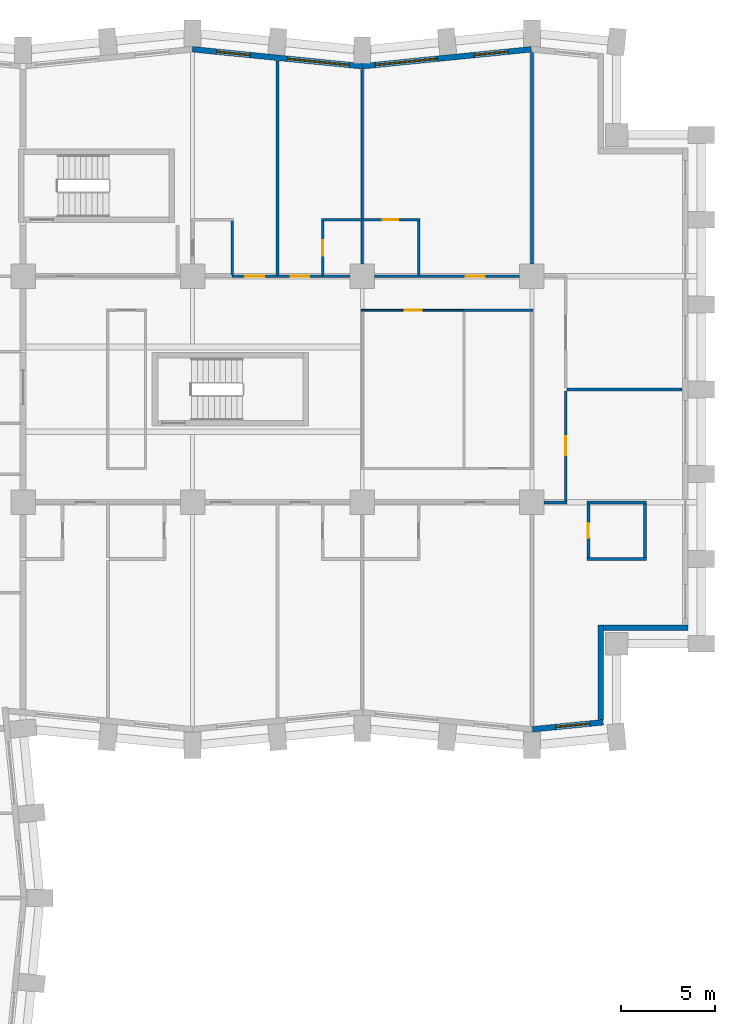
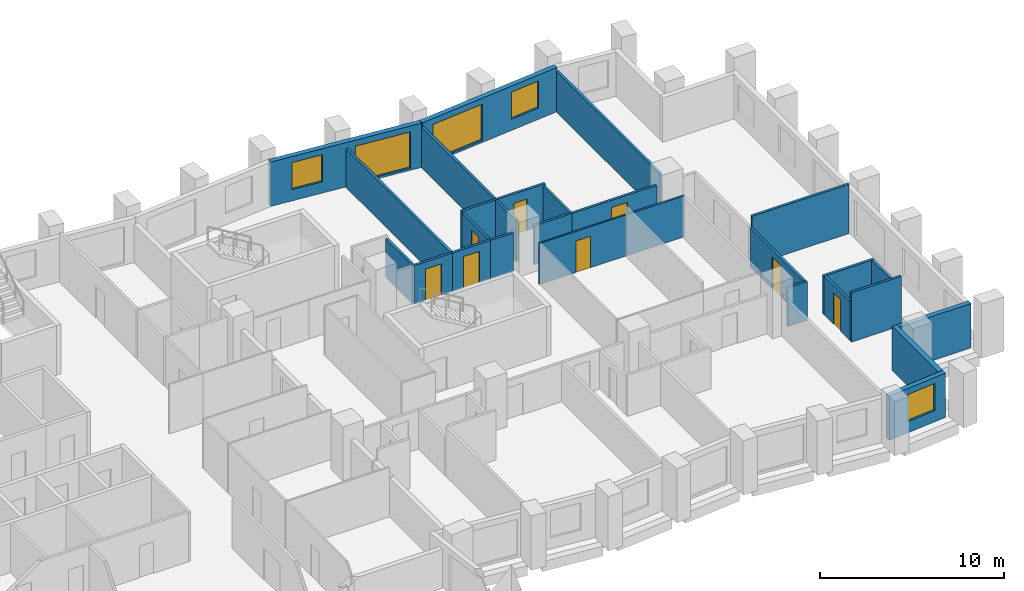
# One storey, part 9 of 12: 28 walls, 8 doors, 5 windows, 13 openings.
"""IFC4 building model written with IfcOpenShell, lengths in metres."""

from ifc_helpers import new_model, si_unit, direction, frame, frame_2d, origin, place, context, subcontext, project, spatial, rectangle, extrude, material, layer, layer_set, type_object, element, fill, save


model = new_model("IFC4")

# Units and contexts
model_context = context("Model", 3, precision=1e-05, world=origin(), true_north=direction((0.0, 1.0)))
body_context = subcontext(model_context, "Body", "Model", "MODEL_VIEW")
ifc_project = project(units=[si_unit("LENGTHUNIT", "METRE"), si_unit("AREAUNIT", "SQUARE_METRE"), si_unit("VOLUMEUNIT", "CUBIC_METRE"), si_unit("PLANEANGLEUNIT", "RADIAN"), si_unit("MASSUNIT", "GRAM", prefix="KILO")], contexts=[model_context])

# Site, building, storey
site_placement = place(None, origin())
site = spatial("IfcSite", under=ifc_project, at=site_placement, CompositionType="ELEMENT")
building_placement = place(site_placement, origin())
building = spatial("IfcBuilding", under=site, at=building_placement, Name="Brondeck Convention Tower", CompositionType="ELEMENT")
storey_placement = place(building_placement, frame((0.0, 0.0, 55.5)))
storey = spatial("IfcBuildingStorey", under=building, at=storey_placement, Name="L11", CompositionType="ELEMENT", Elevation=55.5)

# Wall, opening, window
ifc_material_1 = material(Name="Precast concrete C50/60 bronze finish", Category="concrete")
ifc_layer_1 = layer(ifc_material_1, 0.070068359375, Name="Bronze precast facing")
ifc_material_2 = material(Name="Mineral wool")
ifc_layer_2 = layer(ifc_material_2, 0.159912109375, Name="Insulation")
ifc_material_3 = material(Name="Concrete C35/45", Category="concrete")
ifc_layer_3 = layer(ifc_material_3, 0.070068359375, Name="Backing")
ifc_layer_set_1 = layer_set([ifc_layer_1, ifc_layer_2, ifc_layer_3], Name="External infill wall, precast concrete C50/60 bronze facing")
wall_type_1 = type_object("IfcWallType", Name="External infill wall, precast concrete C50/60 bronze facing", PredefinedType="SOLIDWALL", material=ifc_layer_set_1)
wall_1_placement = place(storey_placement, frame((66.78515625, 27.332763671875, 0.0), z_axis=(0.0, 0.0, 1.0), x_axis=(-0.995038471088, -0.099490909409, 0.0)))
wall_1 = element("IfcWall", 1, at=wall_1_placement, inside=storey, type_object=wall_type_1, Name="ENV-EW-L11-P0-A-S-06", PredefinedType="SOLIDWALL", context=body_context, shape_type="SweptSolid", body=[
    extrude(rectangle(XDim=3.774169921875, YDim=0.300048828125, at=frame_2d((1.88720703125, 0.0))), origin(), (0.0, 0.0, 1.0), 2.949951171875),
])
opening_1_placement = place(wall_1_placement, frame((0.727783203125, 0.0, 0.75)))
opening_1 = element("IfcOpeningElement", 2, at=opening_1_placement, cuts=wall_1, Name="Opening W10", PredefinedType="OPENING", context=body_context, shape_type="SweptSolid", body=[
    extrude(rectangle(XDim=1.800048828125, YDim=1.800048828125, at=frame_2d((0.89990234375, 0.89990234375))), frame((0.0, 0.159912109375, 0.0), z_axis=(0.0, -1.0, 0.0), x_axis=(1.0, 0.0, 0.0)), (0.0, 0.0, 1.0), 0.320068359375),
])
ifc_material_4 = material(Name="Bronze tinted double glazing", Category="glass")
window_type_1 = type_object("IfcWindowType", Name="Punched window, bronze tinted", PartitioningType="SINGLE_PANEL", PredefinedType="WINDOW", material=ifc_material_4)
window_1_placement = place(opening_1_placement, origin())
window_1 = element("IfcWindow", 3, at=window_1_placement, inside=storey, type_object=window_type_1, Name="ENV-WN-L11-P0-A-S-06", OverallHeight=1.800048828125, OverallWidth=1.800048828125, PartitioningType="SINGLE_PANEL", PredefinedType="WINDOW", context=body_context, shape_type="SweptSolid", body=[
    extrude(rectangle(XDim=1.800048828125, YDim=1.800048828125, at=frame_2d((0.89990234375, 0.89990234375))), frame((0.0, 0.030029296875, 0.0), z_axis=(0.0, -1.0, 0.0), x_axis=(1.0, 0.0, 0.0)), (0.0, 0.0, 1.0), 0.06005859375),
])
fill(opening_1, window_1)

# Walls
wall_2_placement = place(storey_placement, frame((66.64990234375, 32.5, 0.0), z_axis=(0.0, 0.0, 1.0), x_axis=(0.0, -1.0, 0.0)))
element("IfcWall", 4, at=wall_2_placement, inside=storey, type_object=wall_type_1, Name="ENV-EW-L11-P0-NC-SEA72-01", PredefinedType="SOLIDWALL", context=body_context, shape_type="SweptSolid", body=[
    extrude(rectangle(XDim=5.02880859375, YDim=0.300048828125, at=frame_2d((2.514404296875, 0.0))), origin(), (0.0, 0.0, 1.0), 2.949951171875),
])
wall_3_placement = place(storey_placement, frame((71.300048828125, 32.35009765625, 0.0), z_axis=(0.0, 0.0, 1.0), x_axis=(-1.0, 0.0, 0.0)))
element("IfcWall", 5, at=wall_3_placement, inside=storey, type_object=wall_type_1, Name="ENV-EW-L11-P0-NC-SEA72-02", PredefinedType="SOLIDWALL", context=body_context, shape_type="SweptSolid", body=[
    extrude(rectangle(XDim=4.5, YDim=0.300048828125, at=frame_2d((2.25, 0.0))), origin(), (0.0, 0.0, 1.0), 2.949951171875),
])

# Wall, openings, windows
wall_4_placement = place(storey_placement, frame((53.985107421875, 62.144287109375, 0.0), z_axis=(0.0, 0.0, 1.0), x_axis=(0.995037993253, 0.099495688264, 0.0)))
wall_4 = element("IfcWall", 6, at=wall_4_placement, inside=storey, type_object=wall_type_1, Name="ENV-EW-L11-P0-A-N-13", PredefinedType="SOLIDWALL", context=body_context, shape_type="SweptSolid", body=[
    extrude(rectangle(XDim=9.030029296875, YDim=0.300048828125, at=frame_2d((4.51513671875, 0.0))), origin(), (0.0, 0.0, 1.0), 2.949951171875),
])
opening_2_placement = place(wall_4_placement, frame((0.711181640625, 0.0, 0.14990234375)))
opening_2 = element("IfcOpeningElement", 7, at=opening_2_placement, cuts=wall_4, Name="Opening W9", PredefinedType="OPENING", context=body_context, shape_type="SweptSolid", body=[
    extrude(rectangle(XDim=3.300048828125, YDim=2.39990234375, at=frame_2d((1.64990234375, 1.199951171875))), frame((0.0, 0.159912109375, 0.0), z_axis=(0.0, -1.0, 0.0), x_axis=(1.0, 0.0, 0.0)), (0.0, 0.0, 1.0), 0.320068359375),
])
opening_3_placement = place(wall_4_placement, frame((5.983642578125, 0.0, 0.75)))
opening_3 = element("IfcOpeningElement", 8, at=opening_3_placement, cuts=wall_4, Name="Opening W10", PredefinedType="OPENING", context=body_context, shape_type="SweptSolid", body=[
    extrude(rectangle(XDim=1.800048828125, YDim=1.800048828125, at=frame_2d((0.89990234375, 0.89990234375))), frame((0.0, 0.159912109375, 0.0), z_axis=(0.0, -1.0, 0.0), x_axis=(1.0, 0.0, 0.0)), (0.0, 0.0, 1.0), 0.320068359375),
])
window_type_2 = type_object("IfcWindowType", Name="Glazed flute window, bronze tinted", PartitioningType="SINGLE_PANEL", PredefinedType="WINDOW", material=ifc_material_4)
window_2_placement = place(opening_2_placement, origin())
window_2 = element("IfcWindow", 9, at=window_2_placement, inside=storey, type_object=window_type_2, Name="ENV-WN-L11-P0-A-N-12", OverallHeight=2.39990234375, OverallWidth=3.300048828125, PartitioningType="SINGLE_PANEL", PredefinedType="WINDOW", context=body_context, shape_type="SweptSolid", body=[
    extrude(rectangle(XDim=3.300048828125, YDim=2.39990234375, at=frame_2d((1.64990234375, 1.199951171875))), frame((0.0, 0.030029296875, 0.0), z_axis=(0.0, -1.0, 0.0), x_axis=(1.0, 0.0, 0.0)), (0.0, 0.0, 1.0), 0.06005859375),
])
fill(opening_2, window_2)
window_3_placement = place(opening_3_placement, origin())
window_3 = element("IfcWindow", 10, at=window_3_placement, inside=storey, type_object=window_type_1, Name="ENV-WN-L11-P0-A-N-13", OverallHeight=1.800048828125, OverallWidth=1.800048828125, PartitioningType="SINGLE_PANEL", PredefinedType="WINDOW", context=body_context, shape_type="SweptSolid", body=[
    extrude(rectangle(XDim=1.800048828125, YDim=1.800048828125, at=frame_2d((0.89990234375, 0.89990234375))), frame((0.0, 0.030029296875, 0.0), z_axis=(0.0, -1.0, 0.0), x_axis=(1.0, 0.0, 0.0)), (0.0, 0.0, 1.0), 0.06005859375),
])
fill(opening_3, window_3)

wall_5_placement = place(storey_placement, frame((44.985107421875, 63.04736328125, 0.0), z_axis=(0.0, 0.0, 1.0), x_axis=(0.995035316196, -0.099522457379, 0.0)))
wall_5 = element("IfcWall", 11, at=wall_5_placement, inside=storey, type_object=wall_type_1, Name="ENV-EW-L11-P0-A-N-11", PredefinedType="SOLIDWALL", context=body_context, shape_type="SweptSolid", body=[
    extrude(rectangle(XDim=9.030029296875, YDim=0.300048828125, at=frame_2d((4.51513671875, 0.0))), origin(), (0.0, 0.0, 1.0), 2.949951171875),
])
opening_4_placement = place(wall_5_placement, frame((1.291259765625, 0.0, 0.75)))
opening_4 = element("IfcOpeningElement", 12, at=opening_4_placement, cuts=wall_5, Name="Opening W10", PredefinedType="OPENING", context=body_context, shape_type="SweptSolid", body=[
    extrude(rectangle(XDim=1.800048828125, YDim=1.800048828125, at=frame_2d((0.89990234375, 0.89990234375))), frame((0.0, 0.159912109375, 0.0), z_axis=(0.0, -1.0, 0.0), x_axis=(1.0, 0.0, 0.0)), (0.0, 0.0, 1.0), 0.320068359375),
])
opening_5_placement = place(wall_5_placement, frame((5.063720703125, 0.0, 0.14990234375)))
opening_5 = element("IfcOpeningElement", 13, at=opening_5_placement, cuts=wall_5, Name="Opening W9", PredefinedType="OPENING", context=body_context, shape_type="SweptSolid", body=[
    extrude(rectangle(XDim=3.300048828125, YDim=2.39990234375, at=frame_2d((1.64990234375, 1.199951171875))), frame((0.0, 0.159912109375, 0.0), z_axis=(0.0, -1.0, 0.0), x_axis=(1.0, 0.0, 0.0)), (0.0, 0.0, 1.0), 0.320068359375),
])
window_4_placement = place(opening_5_placement, origin())
window_4 = element("IfcWindow", 14, at=window_4_placement, inside=storey, type_object=window_type_2, Name="ENV-WN-L11-P0-A-N-11", OverallHeight=2.39990234375, OverallWidth=3.300048828125, PartitioningType="SINGLE_PANEL", PredefinedType="WINDOW", context=body_context, shape_type="SweptSolid", body=[
    extrude(rectangle(XDim=3.300048828125, YDim=2.39990234375, at=frame_2d((1.64990234375, 1.199951171875))), frame((0.0, 0.030029296875, 0.0), z_axis=(0.0, -1.0, 0.0), x_axis=(1.0, 0.0, 0.0)), (0.0, 0.0, 1.0), 0.06005859375),
])
fill(opening_5, window_4)
window_5_placement = place(opening_4_placement, origin())
window_5 = element("IfcWindow", 15, at=window_5_placement, inside=storey, type_object=window_type_1, Name="ENV-WN-L11-P0-A-N-10", OverallHeight=1.800048828125, OverallWidth=1.800048828125, PartitioningType="SINGLE_PANEL", PredefinedType="WINDOW", context=body_context, shape_type="SweptSolid", body=[
    extrude(rectangle(XDim=1.800048828125, YDim=1.800048828125, at=frame_2d((0.89990234375, 0.89990234375))), frame((0.0, 0.030029296875, 0.0), z_axis=(0.0, -1.0, 0.0), x_axis=(1.0, 0.0, 0.0)), (0.0, 0.0, 1.0), 0.06005859375),
])
fill(opening_4, window_5)

# Walls
ifc_material_5 = material(Name="Double gypsum board acoustic wall")
ifc_layer_4 = layer(ifc_material_5, 0.14990234375)
ifc_layer_set_2 = layer_set([ifc_layer_4], Name="Guest room party wall 150")
wall_type_2 = type_object("IfcWallType", Name="Guest room party wall 150", PredefinedType="PARTITIONING", material=ifc_layer_set_2)
wall_6_placement = place(storey_placement, frame((65.925048828125, 36.0, 0.0), z_axis=(0.0, 0.0, 1.0), x_axis=(1.0, 0.0, 0.0)))
element("IfcWall", 16, at=wall_6_placement, inside=storey, type_object=wall_type_2, Name="FLR-L11-W055", PredefinedType="PARTITIONING", context=body_context, shape_type="SweptSolid", body=[
    extrude(rectangle(XDim=3.14990234375, YDim=0.14990234375, at=frame_2d((1.574951171875, 0.0))), origin(), (0.0, 0.0, 1.0), 3.280029296875),
])
wall_7_placement = place(storey_placement, frame((69.0, 36.074951171875, 0.0), z_axis=(0.0, 0.0, 1.0), x_axis=(0.0, 1.0, 0.0)))
element("IfcWall", 17, at=wall_7_placement, inside=storey, type_object=wall_type_2, Name="FLR-L11-W059", PredefinedType="PARTITIONING", context=body_context, shape_type="SweptSolid", body=[
    extrude(rectangle(XDim=2.85009765625, YDim=0.14990234375, at=frame_2d((1.425048828125, 0.0))), origin(), (0.0, 0.0, 1.0), 2.580078125),
])

# Wall, opening, door
wall_8_placement = place(storey_placement, frame((66.0, 38.925048828125, 0.0), z_axis=(0.0, 0.0, 1.0), x_axis=(0.0, -1.0, 0.0)))
wall_8 = element("IfcWall", 18, at=wall_8_placement, inside=storey, type_object=wall_type_2, Name="FLR-L11-W066", PredefinedType="PARTITIONING", context=body_context, shape_type="SweptSolid", body=[
    extrude(rectangle(XDim=2.85009765625, YDim=0.14990234375, at=frame_2d((1.425048828125, 0.0))), origin(), (0.0, 0.0, 1.0), 2.580078125),
])
opening_6_placement = place(wall_8_placement, frame((1.02490234375, 0.0, 0.0)))
opening_6 = element("IfcOpeningElement", 19, at=opening_6_placement, cuts=wall_8, Name="Opening H2-021", PredefinedType="OPENING", context=body_context, shape_type="SweptSolid", body=[
    extrude(rectangle(XDim=0.800048828125, YDim=2.10009765625, at=frame_2d((0.39990234375, 1.050048828125))), frame((0.0, 0.0849609375, 0.0), z_axis=(0.0, -1.0, 0.0), x_axis=(1.0, 0.0, 0.0)), (0.0, 0.0, 1.0), 0.169921875),
])
ifc_material_6 = material(Name="Solid timber door leaf", Category="wood")
door_type_1 = type_object("IfcDoorType", Name="En-suite door 800", OperationType="NOTDEFINED", PredefinedType="DOOR", material=ifc_material_6)
door_1_placement = place(opening_6_placement, origin())
door_1 = element("IfcDoor", 20, at=door_1_placement, inside=storey, type_object=door_type_1, Name="Door H2-021", OperationType="SINGLE_SWING_RIGHT", OverallHeight=2.10009765625, OverallWidth=0.800048828125, PredefinedType="DOOR", context=body_context, shape_type="SweptSolid", body=[
    extrude(rectangle(XDim=0.800048828125, YDim=2.10009765625, at=frame_2d((0.39990234375, 1.050048828125))), frame((0.0, 0.02490234375, 0.0), z_axis=(0.0, -1.0, 0.0), x_axis=(1.0, 0.0, 0.0)), (0.0, 0.0, 1.0), 0.050048828125),
])
fill(opening_6, door_1)

# Walls
wall_9_placement = place(storey_placement, frame((64.875, 39.0, 0.0), z_axis=(0.0, 0.0, 1.0), x_axis=(-1.0, 0.0, 0.0)))
element("IfcWall", 21, at=wall_9_placement, inside=storey, type_object=wall_type_2, Name="FLR-L11-W076", PredefinedType="PARTITIONING", context=body_context, shape_type="SweptSolid", body=[
    extrude(rectangle(XDim=1.219970703125, YDim=0.14990234375, at=frame_2d((0.60986328125, 0.0))), origin(), (0.0, 0.0, 1.0), 2.580078125),
])
wall_10_placement = place(storey_placement, frame((69.074951171875, 39.0, 0.0), z_axis=(0.0, 0.0, 1.0), x_axis=(-1.0, 0.0, 0.0)))
element("IfcWall", 22, at=wall_10_placement, inside=storey, type_object=wall_type_2, Name="FLR-L11-W077", PredefinedType="PARTITIONING", context=body_context, shape_type="SweptSolid", body=[
    extrude(rectangle(XDim=3.14990234375, YDim=0.14990234375, at=frame_2d((1.574951171875, 0.0))), origin(), (0.0, 0.0, 1.0), 2.580078125),
])

# Wall, opening, door
wall_11_placement = place(storey_placement, frame((64.800048828125, 44.925048828125, 0.0), z_axis=(0.0, 0.0, 1.0), x_axis=(0.0, -1.0, 0.0)))
wall_11 = element("IfcWall", 23, at=wall_11_placement, inside=storey, type_object=wall_type_2, Name="FLR-L11-W088", PredefinedType="PARTITIONING", context=body_context, shape_type="SweptSolid", body=[
    extrude(rectangle(XDim=5.85009765625, YDim=0.14990234375, at=frame_2d((2.925048828125, 0.0))), origin(), (0.0, 0.0, 1.0), 2.580078125),
])
opening_7_placement = place(wall_11_placement, frame((2.425048828125, 0.0, 0.0)))
opening_7 = element("IfcOpeningElement", 24, at=opening_7_placement, cuts=wall_11, Name="Opening H2-020", PredefinedType="OPENING", context=body_context, shape_type="SweptSolid", body=[
    extrude(rectangle(XDim=1.0, YDim=2.10009765625, at=frame_2d((0.5, 1.050048828125))), frame((0.0, 0.0849609375, 0.0), z_axis=(0.0, -1.0, 0.0), x_axis=(1.0, 0.0, 0.0)), (0.0, 0.0, 1.0), 0.169921875),
])
ifc_material_7 = material(Name="Solid timber fire door leaf", Category="wood")
door_type_2 = type_object("IfcDoorType", Name="Guest room door 1000", OperationType="NOTDEFINED", PredefinedType="DOOR", material=ifc_material_7)
door_2_placement = place(opening_7_placement, origin())
door_2 = element("IfcDoor", 25, at=door_2_placement, inside=storey, type_object=door_type_2, Name="Door H2-020", OperationType="SINGLE_SWING_LEFT", OverallHeight=2.10009765625, OverallWidth=1.0, PredefinedType="DOOR", context=body_context, shape_type="SweptSolid", body=[
    extrude(rectangle(XDim=1.0, YDim=2.10009765625, at=frame_2d((0.5, 1.050048828125))), frame((0.0, 0.02490234375, 0.0), z_axis=(0.0, -1.0, 0.0), x_axis=(1.0, 0.0, 0.0)), (0.0, 0.0, 1.0), 0.050048828125),
])
fill(opening_7, door_2)

# Wall
wall_12_placement = place(storey_placement, frame((70.97998046875, 45.0, 0.0), z_axis=(0.0, 0.0, 1.0), x_axis=(-1.0, 0.0, 0.0)))
element("IfcWall", 26, at=wall_12_placement, inside=storey, type_object=wall_type_2, Name="FLR-L11-W089", PredefinedType="PARTITIONING", context=body_context, shape_type="SweptSolid", body=[
    extrude(rectangle(XDim=6.10498046875, YDim=0.14990234375, at=frame_2d((3.052490234375, 0.0))), origin(), (0.0, 0.0, 1.0), 3.280029296875),
])

# Wall, opening, door
wall_13_placement = place(storey_placement, frame((47.10009765625, 51.0, 0.0), z_axis=(0.0, 0.0, 1.0), x_axis=(1.0, 0.0, 0.0)))
wall_13 = element("IfcWall", 27, at=wall_13_placement, inside=storey, type_object=wall_type_2, Name="FLR-L11-W108", PredefinedType="PARTITIONING", context=body_context, shape_type="SweptSolid", body=[
    extrude(rectangle(XDim=2.39990234375, YDim=0.14990234375, at=frame_2d((1.199951171875, 0.0))), origin(), (0.0, 0.0, 1.0), 2.580078125),
])
opening_8_placement = place(wall_13_placement, frame((0.699951171875, 0.0, 0.0)))
opening_8 = element("IfcOpeningElement", 28, at=opening_8_placement, cuts=wall_13, Name="Opening H2-002", PredefinedType="OPENING", context=body_context, shape_type="SweptSolid", body=[
    extrude(rectangle(XDim=1.0, YDim=2.10009765625, at=frame_2d((0.5, 1.050048828125))), frame((0.0, 0.0849609375, 0.0), z_axis=(0.0, -1.0, 0.0), x_axis=(1.0, 0.0, 0.0)), (0.0, 0.0, 1.0), 0.169921875),
])
door_3_placement = place(opening_8_placement, origin())
door_3 = element("IfcDoor", 29, at=door_3_placement, inside=storey, type_object=door_type_2, Name="Door H2-002", OperationType="SINGLE_SWING_LEFT", OverallHeight=2.10009765625, OverallWidth=1.0, PredefinedType="DOOR", context=body_context, shape_type="SweptSolid", body=[
    extrude(rectangle(XDim=1.0, YDim=2.10009765625, at=frame_2d((0.5, 1.050048828125))), frame((0.0, 0.02490234375, 0.0), z_axis=(0.0, -1.0, 0.0), x_axis=(1.0, 0.0, 0.0)), (0.0, 0.0, 1.0), 0.050048828125),
])
fill(opening_8, door_3)

wall_14_placement = place(storey_placement, frame((49.5, 51.0, 0.0), z_axis=(0.0, 0.0, 1.0), x_axis=(1.0, 0.0, 0.0)))
wall_14 = element("IfcWall", 30, at=wall_14_placement, inside=storey, type_object=wall_type_2, Name="FLR-L11-W109", PredefinedType="PARTITIONING", context=body_context, shape_type="SweptSolid", body=[
    extrude(rectangle(XDim=2.39990234375, YDim=0.14990234375, at=frame_2d((1.199951171875, 0.0))), origin(), (0.0, 0.0, 1.0), 2.580078125),
])
opening_9_placement = place(wall_14_placement, frame((0.699951171875, 0.0, 0.0)))
opening_9 = element("IfcOpeningElement", 31, at=opening_9_placement, cuts=wall_14, Name="Opening H2-004", PredefinedType="OPENING", context=body_context, shape_type="SweptSolid", body=[
    extrude(rectangle(XDim=1.0, YDim=2.10009765625, at=frame_2d((0.5, 1.050048828125))), frame((0.0, 0.0849609375, 0.0), z_axis=(0.0, -1.0, 0.0), x_axis=(1.0, 0.0, 0.0)), (0.0, 0.0, 1.0), 0.169921875),
])
door_4_placement = place(opening_9_placement, origin())
door_4 = element("IfcDoor", 32, at=door_4_placement, inside=storey, type_object=door_type_2, Name="Door H2-004", OperationType="SINGLE_SWING_LEFT", OverallHeight=2.10009765625, OverallWidth=1.0, PredefinedType="DOOR", context=body_context, shape_type="SweptSolid", body=[
    extrude(rectangle(XDim=1.0, YDim=2.10009765625, at=frame_2d((0.5, 1.050048828125))), frame((0.0, 0.02490234375, 0.0), z_axis=(0.0, -1.0, 0.0), x_axis=(1.0, 0.0, 0.0)), (0.0, 0.0, 1.0), 0.050048828125),
])
fill(opening_9, door_4)

# Walls
wall_15_placement = place(storey_placement, frame((51.89990234375, 51.0, 0.0), z_axis=(0.0, 0.0, 1.0), x_axis=(1.0, 0.0, 0.0)))
element("IfcWall", 33, at=wall_15_placement, inside=storey, type_object=wall_type_2, Name="FLR-L11-W110", PredefinedType="PARTITIONING", context=body_context, shape_type="SweptSolid", body=[
    extrude(rectangle(XDim=1.445068359375, YDim=0.14990234375, at=frame_2d((0.72265625, 0.0))), origin(), (0.0, 0.0, 1.0), 2.580078125),
])
wall_16_placement = place(storey_placement, frame((54.655029296875, 51.0, 0.0), z_axis=(0.0, 0.0, 1.0), x_axis=(1.0, 0.0, 0.0)))
element("IfcWall", 34, at=wall_16_placement, inside=storey, type_object=wall_type_2, Name="FLR-L11-W111", PredefinedType="PARTITIONING", context=body_context, shape_type="SweptSolid", body=[
    extrude(rectangle(XDim=2.344970703125, YDim=0.14990234375, at=frame_2d((1.17236328125, 0.0))), origin(), (0.0, 0.0, 1.0), 2.580078125),
])

# Wall, opening, door
wall_17_placement = place(storey_placement, frame((57.0, 51.0, 0.0), z_axis=(0.0, 0.0, 1.0), x_axis=(1.0, 0.0, 0.0)))
wall_17 = element("IfcWall", 35, at=wall_17_placement, inside=storey, type_object=wall_type_2, Name="FLR-L11-W112", PredefinedType="PARTITIONING", context=body_context, shape_type="SweptSolid", body=[
    extrude(rectangle(XDim=5.344970703125, YDim=0.14990234375, at=frame_2d((2.67236328125, 0.0))), origin(), (0.0, 0.0, 1.0), 2.580078125),
])
opening_10_placement = place(wall_17_placement, frame((2.5, 0.0, 0.0)))
opening_10 = element("IfcOpeningElement", 36, at=opening_10_placement, cuts=wall_17, Name="Opening H2-006", PredefinedType="OPENING", context=body_context, shape_type="SweptSolid", body=[
    extrude(rectangle(XDim=1.0, YDim=2.10009765625, at=frame_2d((0.5, 1.050048828125))), frame((0.0, 0.0849609375, 0.0), z_axis=(0.0, -1.0, 0.0), x_axis=(1.0, 0.0, 0.0)), (0.0, 0.0, 1.0), 0.169921875),
])
door_5_placement = place(opening_10_placement, origin())
door_5 = element("IfcDoor", 37, at=door_5_placement, inside=storey, type_object=door_type_2, Name="Door H2-006", OperationType="SINGLE_SWING_RIGHT", OverallHeight=2.10009765625, OverallWidth=1.0, PredefinedType="DOOR", context=body_context, shape_type="SweptSolid", body=[
    extrude(rectangle(XDim=1.0, YDim=2.10009765625, at=frame_2d((0.5, 1.050048828125))), frame((0.0, 0.02490234375, 0.0), z_axis=(0.0, -1.0, 0.0), x_axis=(1.0, 0.0, 0.0)), (0.0, 0.0, 1.0), 0.050048828125),
])
fill(opening_10, door_5)

# Walls
for number, where, z_axis, x_axis, name in (
    (38, (47.10009765625, 51.074951171875, 0.0), (0.0, 0.0, 1.0), (0.0, 1.0, 0.0), "FLR-L11-W115"),
    (39, (57.0, 51.074951171875, 0.0), (0.0, 0.0, 1.0), (0.0, 1.0, 0.0), "FLR-L11-W116"),
):
    element("IfcWall", number, at=place(storey_placement, frame(where, z_axis=z_axis, x_axis=x_axis)), inside=storey, type_object=wall_type_2, Name=name, PredefinedType="PARTITIONING", context=body_context, shape_type="SweptSolid", body=[
        extrude(rectangle(XDim=2.85009765625, YDim=0.14990234375, at=frame_2d((1.425048828125, 0.0))), origin(), (0.0, 0.0, 1.0), 2.580078125),
    ])

# Wall, opening, door
wall_18_placement = place(storey_placement, frame((51.89990234375, 53.925048828125, 0.0), z_axis=(0.0, 0.0, 1.0), x_axis=(0.0, -1.0, 0.0)))
wall_18 = element("IfcWall", 40, at=wall_18_placement, inside=storey, type_object=wall_type_2, Name="FLR-L11-W121", PredefinedType="PARTITIONING", context=body_context, shape_type="SweptSolid", body=[
    extrude(rectangle(XDim=2.85009765625, YDim=0.14990234375, at=frame_2d((1.425048828125, 0.0))), origin(), (0.0, 0.0, 1.0), 2.580078125),
])
opening_11_placement = place(wall_18_placement, frame((1.02490234375, 0.0, 0.0)))
opening_11 = element("IfcOpeningElement", 41, at=opening_11_placement, cuts=wall_18, Name="Opening H2-005", PredefinedType="OPENING", context=body_context, shape_type="SweptSolid", body=[
    extrude(rectangle(XDim=0.800048828125, YDim=2.10009765625, at=frame_2d((0.39990234375, 1.050048828125))), frame((0.0, 0.0849609375, 0.0), z_axis=(0.0, -1.0, 0.0), x_axis=(1.0, 0.0, 0.0)), (0.0, 0.0, 1.0), 0.169921875),
])
door_6_placement = place(opening_11_placement, origin())
door_6 = element("IfcDoor", 42, at=door_6_placement, inside=storey, type_object=door_type_1, Name="Door H2-005", OperationType="SINGLE_SWING_LEFT", OverallHeight=2.10009765625, OverallWidth=0.800048828125, PredefinedType="DOOR", context=body_context, shape_type="SweptSolid", body=[
    extrude(rectangle(XDim=0.800048828125, YDim=2.10009765625, at=frame_2d((0.39990234375, 1.050048828125))), frame((0.0, 0.02490234375, 0.0), z_axis=(0.0, -1.0, 0.0), x_axis=(1.0, 0.0, 0.0)), (0.0, 0.0, 1.0), 0.050048828125),
])
fill(opening_11, door_6)

# Walls
wall_19_placement = place(storey_placement, frame((54.0, 53.925048828125, 0.0), z_axis=(0.0, 0.0, 1.0), x_axis=(0.0, -1.0, 0.0)))
element("IfcWall", 43, at=wall_19_placement, inside=storey, type_object=wall_type_2, Name="FLR-L11-W122", PredefinedType="PARTITIONING", context=body_context, shape_type="SweptSolid", body=[
    extrude(rectangle(XDim=2.27001953125, YDim=0.14990234375, at=frame_2d((1.135009765625, 0.0))), origin(), (0.0, 0.0, 1.0), 2.72998046875),
])
wall_20_placement = place(storey_placement, frame((54.0, 54.0, 0.0), z_axis=(0.0, 0.0, 1.0), x_axis=(-1.0, 0.0, 0.0)))
element("IfcWall", 44, at=wall_20_placement, inside=storey, type_object=wall_type_2, Name="FLR-L11-W125", PredefinedType="PARTITIONING", context=body_context, shape_type="SweptSolid", body=[
    extrude(rectangle(XDim=2.175048828125, YDim=0.14990234375, at=frame_2d((1.08740234375, 0.0))), origin(), (0.0, 0.0, 1.0), 2.72998046875),
])

# Wall, opening, door
wall_21_placement = place(storey_placement, frame((57.074951171875, 54.0, 0.0), z_axis=(0.0, 0.0, 1.0), x_axis=(-1.0, 0.0, 0.0)))
wall_21 = element("IfcWall", 45, at=wall_21_placement, inside=storey, type_object=wall_type_2, Name="FLR-L11-W126", PredefinedType="PARTITIONING", context=body_context, shape_type="SweptSolid", body=[
    extrude(rectangle(XDim=3.074951171875, YDim=0.14990234375, at=frame_2d((1.53759765625, 0.0))), origin(), (0.0, 0.0, 1.0), 2.72998046875),
])
opening_12_placement = place(wall_21_placement, frame((1.175048828125, 0.0, 0.0)))
opening_12 = element("IfcOpeningElement", 46, at=opening_12_placement, cuts=wall_21, Name="Opening H2-007", PredefinedType="OPENING", context=body_context, shape_type="SweptSolid", body=[
    extrude(rectangle(XDim=0.800048828125, YDim=2.10009765625, at=frame_2d((0.39990234375, 1.050048828125))), frame((0.0, 0.0849609375, 0.0), z_axis=(0.0, -1.0, 0.0), x_axis=(1.0, 0.0, 0.0)), (0.0, 0.0, 1.0), 0.169921875),
])
door_7_placement = place(opening_12_placement, origin())
door_7 = element("IfcDoor", 47, at=door_7_placement, inside=storey, type_object=door_type_1, Name="Door H2-007", OperationType="SINGLE_SWING_RIGHT", OverallHeight=2.10009765625, OverallWidth=0.800048828125, PredefinedType="DOOR", context=body_context, shape_type="SweptSolid", body=[
    extrude(rectangle(XDim=0.800048828125, YDim=2.10009765625, at=frame_2d((0.39990234375, 1.050048828125))), frame((0.0, 0.02490234375, 0.0), z_axis=(0.0, -1.0, 0.0), x_axis=(1.0, 0.0, 0.0)), (0.0, 0.0, 1.0), 0.050048828125),
])
fill(opening_12, door_7)

# Walls
wall_22_placement = place(storey_placement, frame((54.0, 61.97509765625, 0.0), z_axis=(0.0, 0.0, 1.0), x_axis=(0.0, -1.0, 0.0)))
element("IfcWall", 48, at=wall_22_placement, inside=storey, type_object=wall_type_2, Name="FLR-L11-W128", PredefinedType="PARTITIONING", context=body_context, shape_type="SweptSolid", body=[
    extrude(rectangle(XDim=7.900146484375, YDim=0.14990234375, at=frame_2d((3.9501953125, 0.0))), origin(), (0.0, 0.0, 1.0), 2.72998046875),
])
wall_23_placement = place(storey_placement, frame((49.5, 62.425048828125, 0.0), z_axis=(0.0, 0.0, 1.0), x_axis=(0.0, -1.0, 0.0)))
element("IfcWall", 49, at=wall_23_placement, inside=storey, type_object=wall_type_2, Name="FLR-L11-W130", PredefinedType="PARTITIONING", context=body_context, shape_type="SweptSolid", body=[
    extrude(rectangle(XDim=11.35009765625, YDim=0.14990234375, at=frame_2d((5.675048828125, 0.0))), origin(), (0.0, 0.0, 1.0), 2.580078125),
])
wall_24_placement = place(storey_placement, frame((63.0, 62.875, 0.0), z_axis=(0.0, 0.0, 1.0), x_axis=(0.0, -1.0, 0.0)))
element("IfcWall", 50, at=wall_24_placement, inside=storey, type_object=wall_type_2, Name="FLR-L11-W131", PredefinedType="PARTITIONING", context=body_context, shape_type="SweptSolid", body=[
    extrude(rectangle(XDim=11.219970703125, YDim=0.14990234375, at=frame_2d((5.60986328125, 0.0))), origin(), (0.0, 0.0, 1.0), 2.72998046875),
])
ifc_material_8 = material(Name="Gypsum board shaft wall on steel studs", Category="steel")
ifc_layer_5 = layer(ifc_material_8, 0.125)
ifc_layer_set_3 = layer_set([ifc_layer_5], Name="Riser wall 125")
wall_type_3 = type_object("IfcWallType", Name="Riser wall 125", PredefinedType="PARTITIONING", material=ifc_layer_set_3)
wall_25_placement = place(storey_placement, frame((63.0625, 49.199951171875, 0.0), z_axis=(0.0, 0.0, 1.0), x_axis=(-1.0, 0.0, 0.0)))
element("IfcWall", 51, at=wall_25_placement, inside=storey, type_object=wall_type_3, Name="FLR-L11-W099", PredefinedType="PARTITIONING", context=body_context, shape_type="SweptSolid", body=[
    extrude(rectangle(XDim=3.66259765625, YDim=0.125, at=frame_2d((1.831298828125, 0.0))), origin(), (0.0, 0.0, 1.0), 2.72998046875),
])

# Wall, opening, door
ifc_material_9 = material(Name="Gypsum board partition on steel studs", Category="steel")
ifc_layer_6 = layer(ifc_material_9, 0.10009765625)
ifc_layer_set_4 = layer_set([ifc_layer_6], Name="Room partition 100")
wall_type_4 = type_object("IfcWallType", Name="Room partition 100", PredefinedType="PARTITIONING", material=ifc_layer_set_4)
wall_26_placement = place(storey_placement, frame((59.39990234375, 49.199951171875, 0.0), z_axis=(0.0, 0.0, 1.0), x_axis=(-1.0, 0.0, 0.0)))
wall_26 = element("IfcWall", 52, at=wall_26_placement, inside=storey, type_object=wall_type_4, Name="FLR-L11-W098", PredefinedType="PARTITIONING", context=body_context, shape_type="SweptSolid", body=[
    extrude(rectangle(XDim=5.449951171875, YDim=0.10009765625, at=frame_2d((2.72509765625, 0.0))), origin(), (0.0, 0.0, 1.0), 2.72998046875),
])
opening_13_placement = place(wall_26_placement, frame((2.25, 0.0, 0.0)))
opening_13 = element("IfcOpeningElement", 53, at=opening_13_placement, cuts=wall_26, Name="Opening H2-017", PredefinedType="OPENING", context=body_context, shape_type="SweptSolid", body=[
    extrude(rectangle(XDim=0.89990234375, YDim=2.10009765625, at=frame_2d((0.449951171875, 1.050048828125))), frame((0.0, 0.06005859375, 0.0), z_axis=(0.0, -1.0, 0.0), x_axis=(1.0, 0.0, 0.0)), (0.0, 0.0, 1.0), 0.1201171875),
])
door_type_3 = type_object("IfcDoorType", Name="Single door 900", OperationType="NOTDEFINED", PredefinedType="DOOR", material=ifc_material_6)
door_8_placement = place(opening_13_placement, origin())
door_8 = element("IfcDoor", 54, at=door_8_placement, inside=storey, type_object=door_type_3, Name="Door H2-017", OperationType="SINGLE_SWING_LEFT", OverallHeight=2.10009765625, OverallWidth=0.89990234375, PredefinedType="DOOR", context=body_context, shape_type="SweptSolid", body=[
    extrude(rectangle(XDim=0.89990234375, YDim=2.10009765625, at=frame_2d((0.449951171875, 1.050048828125))), frame((0.0, 0.02490234375, 0.0), z_axis=(0.0, -1.0, 0.0), x_axis=(1.0, 0.0, 0.0)), (0.0, 0.0, 1.0), 0.050048828125),
])
fill(opening_13, door_8)

save(model, "model.ifc")
